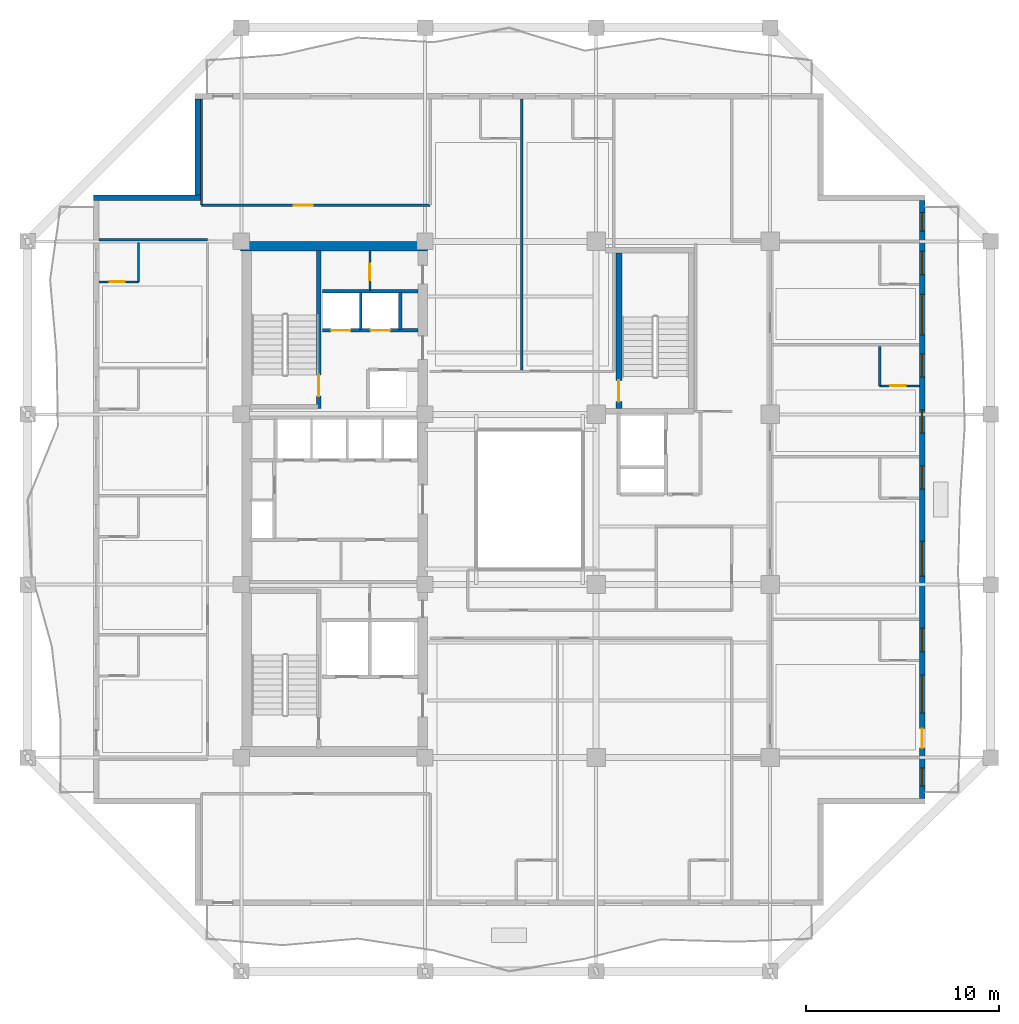
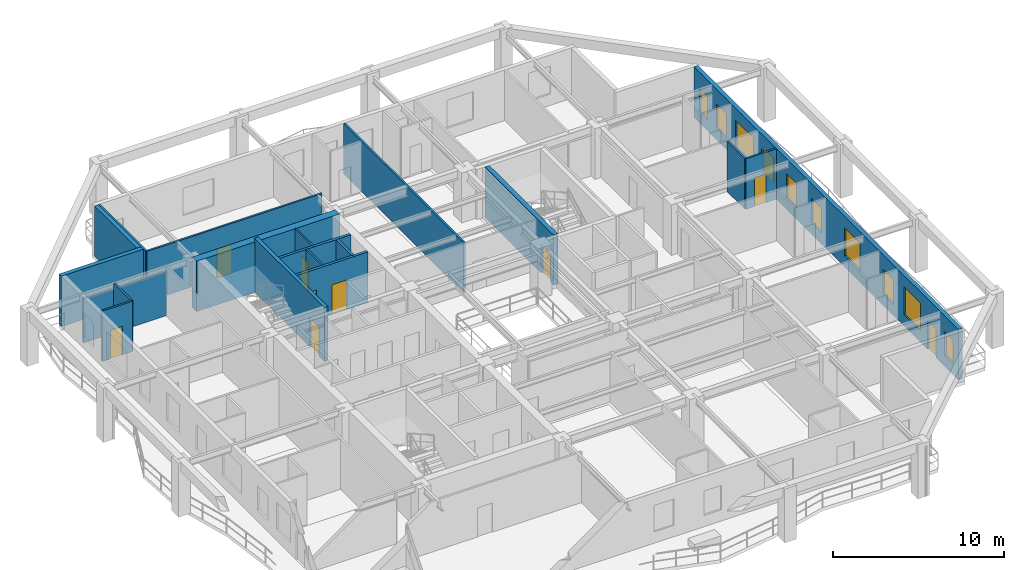
# One storey, part 6 of 13: 19 walls, 10 windows, 9 doors, 19 openings.
"""IFC4 building model written with IfcOpenShell, lengths in metres."""

from ifc_helpers import new_model, si_unit, direction, frame, frame_2d, origin, place, context, subcontext, project, spatial, rectangle, extrude, material, layer, layer_set, type_object, element, fill, save


model = new_model("IFC4")

# Units and contexts
model_context = context("Model", 3, precision=1e-05, world=origin(), true_north=direction((0.0, 1.0)))
body_context = subcontext(model_context, "Body", "Model", "MODEL_VIEW")
ifc_project = project(units=[si_unit("LENGTHUNIT", "METRE"), si_unit("AREAUNIT", "SQUARE_METRE"), si_unit("VOLUMEUNIT", "CUBIC_METRE"), si_unit("PLANEANGLEUNIT", "RADIAN"), si_unit("MASSUNIT", "GRAM", prefix="KILO")], contexts=[model_context])

# Site, building, storey
site_placement = place(None, origin())
site = spatial("IfcSite", under=ifc_project, at=site_placement, CompositionType="ELEMENT")
building_placement = place(site_placement, origin())
building = spatial("IfcBuilding", under=site, at=building_placement, Name="Kundavana Baori Tower", CompositionType="ELEMENT")
storey_placement = place(building_placement, frame((0.0, 0.0, 165.60009765625)))
storey = spatial("IfcBuildingStorey", under=building, at=storey_placement, Name="L40", CompositionType="ELEMENT", Elevation=165.60009765625)

# Wall, opening, door
ifc_material_1 = material(Name="Concrete C50/60", Category="concrete")
ifc_layer_1 = layer(ifc_material_1, 0.39990234375, Name="WL-CORE-400")
ifc_layer_set_1 = layer_set([ifc_layer_1], Name="Concrete C50/60")
wall_type_1 = type_object("IfcWallType", Name="WL-CORE-400", PredefinedType="SHEAR", material=ifc_layer_set_1)
wall_1_placement = place(storey_placement, frame((19.4599609375, 33.300048828125, 0.0), z_axis=(0.0, 0.0, 1.0), x_axis=(0.0, 1.0, 0.0)))
wall_1 = element("IfcWall", 1, at=wall_1_placement, inside=storey, type_object=wall_type_1, Name="WL-L40-ST2-E", PredefinedType="SHEAR", context=body_context, shape_type="SweptSolid", body=[
    extrude(rectangle(XDim=8.179931640625, YDim=0.239990234375, at=frame_2d((4.08984375, 0.0))), origin(), (0.0, 0.0, 1.0), 3.849853515625),
])
opening_1_placement = place(wall_1_placement, frame((0.64990234375, 0.0, 0.0)))
opening_1 = element("IfcOpeningElement", 2, at=opening_1_placement, cuts=wall_1, Name="Opening FD-110", PredefinedType="OPENING", context=body_context, shape_type="SweptSolid", body=[
    extrude(rectangle(XDim=1.10009765625, YDim=2.10009765625, at=frame_2d((0.550048828125, 1.050048828125))), frame((0.0, 0.1298828125, 0.0), z_axis=(0.0, -1.0, 0.0), x_axis=(1.0, 0.0, 0.0)), (0.0, 0.0, 1.0), 0.260009765625),
])
ifc_material_2 = material(Name="Galvanised Steel Fire-Rated Door Leaf", Category="steel")
door_type_1 = type_object("IfcDoorType", Name="DR-FD120-1100", OperationType="NOTDEFINED", PredefinedType="DOOR", material=ifc_material_2)
door_1_placement = place(opening_1_placement, origin())
door_1 = element("IfcDoor", 3, at=door_1_placement, inside=storey, type_object=door_type_1, Name="DR-L40-ST2", OperationType="SINGLE_SWING_RIGHT", OverallHeight=2.10009765625, OverallWidth=1.10009765625, PredefinedType="DOOR", context=body_context, shape_type="SweptSolid", body=[
    extrude(rectangle(XDim=1.10009765625, YDim=2.10009765625, at=frame_2d((0.550048828125, 1.050048828125))), frame((0.0, 0.02490234375, 0.0), z_axis=(0.0, -1.0, 0.0), x_axis=(1.0, 0.0, 0.0)), (0.0, 0.0, 1.0), 0.050048828125),
])
fill(opening_1, door_1)

# Wall
ifc_material_3 = material(Name="Concrete C50/60", Category="concrete")
ifc_layer_2 = layer(ifc_material_3, 0.5, Name="WL-CORE-500")
ifc_layer_set_2 = layer_set([ifc_layer_2], Name="Concrete C50/60")
wall_type_2 = type_object("IfcWallType", Name="WL-CORE-500", PredefinedType="SHEAR", material=ifc_layer_set_2)
wall_2_placement = place(storey_placement, frame((15.39990234375, 41.68994140625, 0.0), z_axis=(0.0, 0.0, 1.0), x_axis=(1.0, 0.0, 0.0)))
element("IfcWall", 4, at=wall_2_placement, inside=storey, type_object=wall_type_2, Name="L40 Offset Core North Shear Wall", PredefinedType="SHEAR", context=body_context, shape_type="SweptSolid", body=[
    extrude(rectangle(XDim=9.68017578125, YDim=0.5, at=frame_2d((4.840087890625, 0.0))), origin(), (0.0, 0.0, 1.0), 3.599853515625),
])

# Wall, openings, door, windows
ifc_material_4 = material(Name="Red-Buff Dholpur Sandstone Cladding on Concrete C40/50", Category="masonry")
ifc_layer_3 = layer(ifc_material_4, 0.280029296875, Name="WL-EXT-SAND-280")
ifc_layer_set_3 = layer_set([ifc_layer_3], Name="Red-Buff Dholpur Sandstone Cladding on Concrete C40/50")
wall_type_3 = type_object("IfcWallType", Name="WL-EXT-SAND-280", PredefinedType="STANDARD", material=ifc_layer_set_3)
wall_3_placement = place(storey_placement, frame((50.659912109375, 13.1298828125, 0.0), z_axis=(0.0, 0.0, 1.0), x_axis=(0.0, 1.0, 0.0)))
wall_3 = element("IfcWall", 5, at=wall_3_placement, inside=storey, type_object=wall_type_3, Name="L40 Exterior Insulated Facade Wall 04", PredefinedType="STANDARD", context=body_context, shape_type="SweptSolid", body=[
    extrude(rectangle(XDim=30.940185546875, YDim=0.280029296875, at=frame_2d((15.47021484375, 0.0))), origin(), (0.0, 0.0, 1.0), 3.599853515625),
])
opening_2_placement = place(wall_3_placement, frame((0.639892578125, 0.0, 0.800048828125)))
opening_2 = element("IfcOpeningElement", 6, at=opening_2_placement, cuts=wall_3, Name="Opening W-13", PredefinedType="OPENING", context=body_context, shape_type="SweptSolid", body=[
    extrude(rectangle(XDim=0.949951171875, YDim=1.64990234375, at=frame_2d((0.47509765625, 0.824951171875))), frame((0.0, 0.14990234375, 0.0), z_axis=(0.0, -1.0, 0.0), x_axis=(1.0, 0.0, 0.0)), (0.0, 0.0, 1.0), 0.300048828125),
])
opening_3_placement = place(wall_3_placement, frame((2.610107421875, 0.0, 0.0)))
opening_3 = element("IfcOpeningElement", 7, at=opening_3_placement, cuts=wall_3, Name="Opening BD-1", PredefinedType="OPENING", context=body_context, shape_type="SweptSolid", body=[
    extrude(rectangle(XDim=1.0, YDim=2.050048828125, at=frame_2d((0.5, 1.02490234375))), frame((0.0, 0.14990234375, 0.0), z_axis=(0.0, -1.0, 0.0), x_axis=(1.0, 0.0, 0.0)), (0.0, 0.0, 1.0), 0.300048828125),
])
opening_4_placement = place(wall_3_placement, frame((4.429931640625, 0.0, 0.800048828125)))
opening_4 = element("IfcOpeningElement", 8, at=opening_4_placement, cuts=wall_3, Name="Opening W-09", PredefinedType="OPENING", context=body_context, shape_type="SweptSolid", body=[
    extrude(rectangle(XDim=1.949951171875, YDim=2.0, at=frame_2d((0.97509765625, 1.0))), frame((0.0, 0.14990234375, 0.0), z_axis=(0.0, -1.0, 0.0), x_axis=(1.0, 0.0, 0.0)), (0.0, 0.0, 1.0), 0.300048828125),
])
opening_5_placement = place(wall_3_placement, frame((7.60498046875, 0.0, 0.800048828125)))
opening_5 = element("IfcOpeningElement", 9, at=opening_5_placement, cuts=wall_3, Name="Opening W-03", PredefinedType="OPENING", context=body_context, shape_type="SweptSolid", body=[
    extrude(rectangle(XDim=1.199951171875, YDim=1.75, at=frame_2d((0.60009765625, 0.875))), frame((0.0, 0.14990234375, 0.0), z_axis=(0.0, -1.0, 0.0), x_axis=(1.0, 0.0, 0.0)), (0.0, 0.0, 1.0), 0.300048828125),
])
opening_6_placement = place(wall_3_placement, frame((11.5048828125, 0.0, 0.800048828125)))
opening_6 = element("IfcOpeningElement", 10, at=opening_6_placement, cuts=wall_3, Name="Opening W-01", PredefinedType="OPENING", context=body_context, shape_type="SweptSolid", body=[
    extrude(rectangle(XDim=1.800048828125, YDim=2.0, at=frame_2d((0.89990234375, 1.0))), frame((0.0, 0.14990234375, 0.0), z_axis=(0.0, -1.0, 0.0), x_axis=(1.0, 0.0, 0.0)), (0.0, 0.0, 1.0), 0.300048828125),
])
opening_7_placement = place(wall_3_placement, frame((16.0048828125, 0.0, 0.800048828125)))
opening_7 = element("IfcOpeningElement", 11, at=opening_7_placement, cuts=wall_3, Name="Opening W-03", PredefinedType="OPENING", context=body_context, shape_type="SweptSolid", body=[
    extrude(rectangle(XDim=1.199951171875, YDim=1.75, at=frame_2d((0.60009765625, 0.875))), frame((0.0, 0.14990234375, 0.0), z_axis=(0.0, -1.0, 0.0), x_axis=(1.0, 0.0, 0.0)), (0.0, 0.0, 1.0), 0.300048828125),
])
opening_8_placement = place(wall_3_placement, frame((18.905029296875, 0.0, 0.800048828125)))
opening_8 = element("IfcOpeningElement", 12, at=opening_8_placement, cuts=wall_3, Name="Opening W-03", PredefinedType="OPENING", context=body_context, shape_type="SweptSolid", body=[
    extrude(rectangle(XDim=1.199951171875, YDim=1.75, at=frame_2d((0.60009765625, 0.875))), frame((0.0, 0.14990234375, 0.0), z_axis=(0.0, -1.0, 0.0), x_axis=(1.0, 0.0, 0.0)), (0.0, 0.0, 1.0), 0.300048828125),
])
opening_9_placement = place(wall_3_placement, frame((21.804931640625, 0.0, 0.800048828125)))
opening_9 = element("IfcOpeningElement", 13, at=opening_9_placement, cuts=wall_3, Name="Opening W-03", PredefinedType="OPENING", context=body_context, shape_type="SweptSolid", body=[
    extrude(rectangle(XDim=1.199951171875, YDim=1.75, at=frame_2d((0.60009765625, 0.875))), frame((0.0, 0.14990234375, 0.0), z_axis=(0.0, -1.0, 0.0), x_axis=(1.0, 0.0, 0.0)), (0.0, 0.0, 1.0), 0.300048828125),
])
opening_10_placement = place(wall_3_placement, frame((23.97998046875, 0.0, 0.800048828125)))
opening_10 = element("IfcOpeningElement", 14, at=opening_10_placement, cuts=wall_3, Name="Opening W-05", PredefinedType="OPENING", context=body_context, shape_type="SweptSolid", body=[
    extrude(rectangle(XDim=2.10009765625, YDim=1.949951171875, at=frame_2d((1.050048828125, 0.97509765625))), frame((0.0, 0.14990234375, 0.0), z_axis=(0.0, -1.0, 0.0), x_axis=(1.0, 0.0, 0.0)), (0.0, 0.0, 1.0), 0.300048828125),
])
opening_11_placement = place(wall_3_placement, frame((27.10498046875, 0.0, 0.800048828125)))
opening_11 = element("IfcOpeningElement", 15, at=opening_11_placement, cuts=wall_3, Name="Opening W-03", PredefinedType="OPENING", context=body_context, shape_type="SweptSolid", body=[
    extrude(rectangle(XDim=1.199951171875, YDim=1.75, at=frame_2d((0.60009765625, 0.875))), frame((0.0, 0.14990234375, 0.0), z_axis=(0.0, -1.0, 0.0), x_axis=(1.0, 0.0, 0.0)), (0.0, 0.0, 1.0), 0.300048828125),
])
opening_12_placement = place(wall_3_placement, frame((29.35009765625, 0.0, 0.800048828125)))
opening_12 = element("IfcOpeningElement", 16, at=opening_12_placement, cuts=wall_3, Name="Opening W-13", PredefinedType="OPENING", context=body_context, shape_type="SweptSolid", body=[
    extrude(rectangle(XDim=0.949951171875, YDim=1.64990234375, at=frame_2d((0.47509765625, 0.824951171875))), frame((0.0, 0.14990234375, 0.0), z_axis=(0.0, -1.0, 0.0), x_axis=(1.0, 0.0, 0.0)), (0.0, 0.0, 1.0), 0.300048828125),
])
ifc_material_5 = material(Name="Architectural Patinated Bronze Metalwork")
door_type_2 = type_object("IfcDoorType", Name="DR-EXT-LOG-1000", OperationType="NOTDEFINED", PredefinedType="DOOR", material=ifc_material_5)
door_2_placement = place(opening_3_placement, frame((1.0, 0.0, 0.0), z_axis=(0.0, 0.0, 1.0), x_axis=(-1.0, 0.0, 0.0)))
door_2 = element("IfcDoor", 17, at=door_2_placement, inside=storey, type_object=door_type_2, Name="L40 Loggia Balcony Access Door E", OperationType="SINGLE_SWING_LEFT", OverallHeight=2.050048828125, OverallWidth=1.0, PredefinedType="DOOR", context=body_context, shape_type="SweptSolid", body=[
    extrude(rectangle(XDim=1.0, YDim=2.050048828125, at=frame_2d((0.5, 1.02490234375))), frame((0.0, 0.02490234375, 0.0), z_axis=(0.0, -1.0, 0.0), x_axis=(1.0, 0.0, 0.0)), (0.0, 0.0, 1.0), 0.050048828125),
])
fill(opening_3, door_2)
ifc_material_6 = material(Name="Double-Glazed Solar-Control Low-E Insulated Glass", Category="glass")
window_type_1 = type_object("IfcWindowType", Name="WIN-LOG-1200x1750", PartitioningType="SINGLE_PANEL", PredefinedType="WINDOW", material=ifc_material_6)
window_1_placement = place(opening_5_placement, origin())
window_1 = element("IfcWindow", 18, at=window_1_placement, inside=storey, type_object=window_type_1, Name="L40 Recessed Loggia Window E-3", OverallHeight=1.75, OverallWidth=1.199951171875, PartitioningType="SINGLE_PANEL", PredefinedType="WINDOW", context=body_context, shape_type="SweptSolid", body=[
    extrude(rectangle(XDim=1.199951171875, YDim=1.75, at=frame_2d((0.60009765625, 0.875))), frame((0.0, 0.030029296875, 0.0), z_axis=(0.0, -1.0, 0.0), x_axis=(1.0, 0.0, 0.0)), (0.0, 0.0, 1.0), 0.06005859375),
])
fill(opening_5, window_1)
window_2_placement = place(opening_7_placement, origin())
window_2 = element("IfcWindow", 19, at=window_2_placement, inside=storey, type_object=window_type_1, Name="L40 Recessed Loggia Window E-5", OverallHeight=1.75, OverallWidth=1.199951171875, PartitioningType="SINGLE_PANEL", PredefinedType="WINDOW", context=body_context, shape_type="SweptSolid", body=[
    extrude(rectangle(XDim=1.199951171875, YDim=1.75, at=frame_2d((0.60009765625, 0.875))), frame((0.0, 0.030029296875, 0.0), z_axis=(0.0, -1.0, 0.0), x_axis=(1.0, 0.0, 0.0)), (0.0, 0.0, 1.0), 0.06005859375),
])
fill(opening_7, window_2)
window_3_placement = place(opening_8_placement, origin())
window_3 = element("IfcWindow", 20, at=window_3_placement, inside=storey, type_object=window_type_1, Name="L40 Recessed Loggia Window E-6", OverallHeight=1.75, OverallWidth=1.199951171875, PartitioningType="SINGLE_PANEL", PredefinedType="WINDOW", context=body_context, shape_type="SweptSolid", body=[
    extrude(rectangle(XDim=1.199951171875, YDim=1.75, at=frame_2d((0.60009765625, 0.875))), frame((0.0, 0.030029296875, 0.0), z_axis=(0.0, -1.0, 0.0), x_axis=(1.0, 0.0, 0.0)), (0.0, 0.0, 1.0), 0.06005859375),
])
fill(opening_8, window_3)
window_4_placement = place(opening_9_placement, origin())
window_4 = element("IfcWindow", 21, at=window_4_placement, inside=storey, type_object=window_type_1, Name="L40 Recessed Loggia Window E-7", OverallHeight=1.75, OverallWidth=1.199951171875, PartitioningType="SINGLE_PANEL", PredefinedType="WINDOW", context=body_context, shape_type="SweptSolid", body=[
    extrude(rectangle(XDim=1.199951171875, YDim=1.75, at=frame_2d((0.60009765625, 0.875))), frame((0.0, 0.030029296875, 0.0), z_axis=(0.0, -1.0, 0.0), x_axis=(1.0, 0.0, 0.0)), (0.0, 0.0, 1.0), 0.06005859375),
])
fill(opening_9, window_4)
window_5_placement = place(opening_11_placement, origin())
window_5 = element("IfcWindow", 22, at=window_5_placement, inside=storey, type_object=window_type_1, Name="L40 Recessed Loggia Window E-9", OverallHeight=1.75, OverallWidth=1.199951171875, PartitioningType="SINGLE_PANEL", PredefinedType="WINDOW", context=body_context, shape_type="SweptSolid", body=[
    extrude(rectangle(XDim=1.199951171875, YDim=1.75, at=frame_2d((0.60009765625, 0.875))), frame((0.0, 0.030029296875, 0.0), z_axis=(0.0, -1.0, 0.0), x_axis=(1.0, 0.0, 0.0)), (0.0, 0.0, 1.0), 0.06005859375),
])
fill(opening_11, window_5)
ifc_material_7 = material(Name="Double-Glazed Solar-Control Low-E Insulated Glass", Category="glass")
window_type_2 = type_object("IfcWindowType", Name="WIN-LOG-1800x2000", PartitioningType="SINGLE_PANEL", PredefinedType="WINDOW", material=ifc_material_7)
window_6_placement = place(opening_6_placement, origin())
window_6 = element("IfcWindow", 23, at=window_6_placement, inside=storey, type_object=window_type_2, Name="L40 Recessed Loggia Window E-4", OverallHeight=2.0, OverallWidth=1.800048828125, PartitioningType="SINGLE_PANEL", PredefinedType="WINDOW", context=body_context, shape_type="SweptSolid", body=[
    extrude(rectangle(XDim=1.800048828125, YDim=2.0, at=frame_2d((0.89990234375, 1.0))), frame((0.0, 0.030029296875, 0.0), z_axis=(0.0, -1.0, 0.0), x_axis=(1.0, 0.0, 0.0)), (0.0, 0.0, 1.0), 0.06005859375),
])
fill(opening_6, window_6)
ifc_material_8 = material(Name="Double-Glazed Solar-Control Low-E Insulated Glass", Category="glass")
window_type_3 = type_object("IfcWindowType", Name="WIN-LOG-1950x2000", PartitioningType="SINGLE_PANEL", PredefinedType="WINDOW", material=ifc_material_8)
window_7_placement = place(opening_4_placement, origin())
window_7 = element("IfcWindow", 24, at=window_7_placement, inside=storey, type_object=window_type_3, Name="L40 Recessed Loggia Window E-2", OverallHeight=2.0, OverallWidth=1.949951171875, PartitioningType="SINGLE_PANEL", PredefinedType="WINDOW", context=body_context, shape_type="SweptSolid", body=[
    extrude(rectangle(XDim=1.949951171875, YDim=2.0, at=frame_2d((0.97509765625, 1.0))), frame((0.0, 0.030029296875, 0.0), z_axis=(0.0, -1.0, 0.0), x_axis=(1.0, 0.0, 0.0)), (0.0, 0.0, 1.0), 0.06005859375),
])
fill(opening_4, window_7)
ifc_material_9 = material(Name="Double-Glazed Solar-Control Low-E Insulated Glass", Category="glass")
window_type_4 = type_object("IfcWindowType", Name="WIN-LOG-2100x1950", PartitioningType="SINGLE_PANEL", PredefinedType="WINDOW", material=ifc_material_9)
window_8_placement = place(opening_10_placement, origin())
window_8 = element("IfcWindow", 25, at=window_8_placement, inside=storey, type_object=window_type_4, Name="L40 Recessed Loggia Window E-8", OverallHeight=1.949951171875, OverallWidth=2.10009765625, PartitioningType="SINGLE_PANEL", PredefinedType="WINDOW", context=body_context, shape_type="SweptSolid", body=[
    extrude(rectangle(XDim=2.10009765625, YDim=1.949951171875, at=frame_2d((1.050048828125, 0.97509765625))), frame((0.0, 0.030029296875, 0.0), z_axis=(0.0, -1.0, 0.0), x_axis=(1.0, 0.0, 0.0)), (0.0, 0.0, 1.0), 0.06005859375),
])
fill(opening_10, window_8)
ifc_material_10 = material(Name="Double-Glazed Solar-Control Low-E Insulated Glass", Category="glass")
window_type_5 = type_object("IfcWindowType", Name="WIN-LOG-950x1650", PartitioningType="SINGLE_PANEL", PredefinedType="WINDOW", material=ifc_material_10)
window_9_placement = place(opening_2_placement, origin())
window_9 = element("IfcWindow", 26, at=window_9_placement, inside=storey, type_object=window_type_5, Name="L40 Recessed Loggia Window E-1", OverallHeight=1.64990234375, OverallWidth=0.949951171875, PartitioningType="SINGLE_PANEL", PredefinedType="WINDOW", context=body_context, shape_type="SweptSolid", body=[
    extrude(rectangle(XDim=0.949951171875, YDim=1.64990234375, at=frame_2d((0.47509765625, 0.824951171875))), frame((0.0, 0.030029296875, 0.0), z_axis=(0.0, -1.0, 0.0), x_axis=(1.0, 0.0, 0.0)), (0.0, 0.0, 1.0), 0.06005859375),
])
fill(opening_2, window_9)
window_10_placement = place(opening_12_placement, origin())
window_10 = element("IfcWindow", 27, at=window_10_placement, inside=storey, type_object=window_type_5, Name="L40 Recessed Loggia Window E-10", OverallHeight=1.64990234375, OverallWidth=0.949951171875, PartitioningType="SINGLE_PANEL", PredefinedType="WINDOW", context=body_context, shape_type="SweptSolid", body=[
    extrude(rectangle(XDim=0.949951171875, YDim=1.64990234375, at=frame_2d((0.47509765625, 0.824951171875))), frame((0.0, 0.030029296875, 0.0), z_axis=(0.0, -1.0, 0.0), x_axis=(1.0, 0.0, 0.0)), (0.0, 0.0, 1.0), 0.06005859375),
])
fill(opening_12, window_10)

# Walls
wall_4_placement = place(storey_placement, frame((13.18994140625, 49.320068359375, 0.0), z_axis=(0.0, 0.0, 1.0), x_axis=(0.0, -1.0, 0.0)))
element("IfcWall", 28, at=wall_4_placement, inside=storey, type_object=wall_type_3, Name="L40 Exterior Insulated Facade Wall 08", PredefinedType="STANDARD", context=body_context, shape_type="SweptSolid", body=[
    extrude(rectangle(XDim=4.969970703125, YDim=0.280029296875, at=frame_2d((2.48486328125, 0.0))), origin(), (0.0, 0.0, 1.0), 3.599853515625),
])
wall_5_placement = place(storey_placement, frame((13.330078125, 44.2099609375, 0.0), z_axis=(0.0, 0.0, 1.0), x_axis=(-1.0, 0.0, 0.0)))
element("IfcWall", 29, at=wall_5_placement, inside=storey, type_object=wall_type_3, Name="L40 Exterior Insulated Facade Wall 09", PredefinedType="STANDARD", context=body_context, shape_type="SweptSolid", body=[
    extrude(rectangle(XDim=5.530029296875, YDim=0.280029296875, at=frame_2d((2.76513671875, 0.0))), origin(), (0.0, 0.0, 1.0), 3.599853515625),
])
ifc_material_11 = material(Name="Acoustic Gypsum Plasterboard on Galvanised Steel Studs", Category="steel")
ifc_layer_4 = layer(ifc_material_11, 0.1201171875, Name="WL-PART-120")
ifc_layer_set_4 = layer_set([ifc_layer_4], Name="Acoustic Gypsum Plasterboard on Galvanised Steel Studs")
wall_type_4 = type_object("IfcWallType", Name="WL-PART-120", PredefinedType="PARTITIONING", material=ifc_layer_set_4)
wall_6_placement = place(storey_placement, frame((21.6201171875, 37.39990234375, 0.0), z_axis=(0.0, 0.0, 1.0), x_axis=(0.0, 1.0, 0.0)))
element("IfcWall", 30, at=wall_6_placement, inside=storey, type_object=wall_type_4, Name="WL-L40-HR-DIV1", PredefinedType="PARTITIONING", context=body_context, shape_type="SweptSolid", body=[
    extrude(rectangle(XDim=1.900146484375, YDim=0.1201171875, at=frame_2d((0.9501953125, 0.0))), origin(), (0.0, 0.0, 1.0), 3.599853515625),
])

# Wall, opening, door
wall_7_placement = place(storey_placement, frame((22.10009765625, 39.39990234375, 0.0), z_axis=(0.0, 0.0, 1.0), x_axis=(0.0, 1.0, 0.0)))
wall_7 = element("IfcWall", 31, at=wall_7_placement, inside=storey, type_object=wall_type_4, Name="WL-L40-CSRV-D1", PredefinedType="PARTITIONING", context=body_context, shape_type="SweptSolid", body=[
    extrude(rectangle(XDim=2.080078125, YDim=0.1201171875, at=frame_2d((1.0400390625, 0.0))), origin(), (0.0, 0.0, 1.0), 3.599853515625),
])
opening_13_placement = place(wall_7_placement, frame((0.550048828125, 0.0, 0.0)))
opening_13 = element("IfcOpeningElement", 32, at=opening_13_placement, cuts=wall_7, Name="Opening FD-085", PredefinedType="OPENING", context=body_context, shape_type="SweptSolid", body=[
    extrude(rectangle(XDim=0.85009765625, YDim=2.06005859375, at=frame_2d((0.425048828125, 1.030029296875))), frame((0.0, 0.070068359375, 0.0), z_axis=(0.0, -1.0, 0.0), x_axis=(1.0, 0.0, 0.0)), (0.0, 0.0, 1.0), 0.14013671875),
])
ifc_material_12 = material(Name="Galvanised Steel Fire-Rated Door Leaf", Category="steel")
door_type_3 = type_object("IfcDoorType", Name="DR-FD60-850", OperationType="NOTDEFINED", PredefinedType="DOOR", material=ifc_material_12)
door_3_placement = place(opening_13_placement, origin())
door_3 = element("IfcDoor", 33, at=door_3_placement, inside=storey, type_object=door_type_3, Name="DR-L40-CSRV1", OperationType="SINGLE_SWING_LEFT", OverallHeight=2.06005859375, OverallWidth=0.85009765625, PredefinedType="DOOR", context=body_context, shape_type="SweptSolid", body=[
    extrude(rectangle(XDim=0.85009765625, YDim=2.06005859375, at=frame_2d((0.425048828125, 1.030029296875))), frame((0.0, 0.02490234375, 0.0), z_axis=(0.0, -1.0, 0.0), x_axis=(1.0, 0.0, 0.0)), (0.0, 0.0, 1.0), 0.050048828125),
])
fill(opening_13, door_3)

# Wall, openings, doors
ifc_material_13 = material(Name="Autoclaved Aerated Concrete Blockwork Masonry", Category="masonry")
ifc_layer_5 = layer(ifc_material_13, 0.179931640625, Name="WL-SHAFT-180")
ifc_layer_set_5 = layer_set([ifc_layer_5], Name="Autoclaved Aerated Concrete Blockwork Masonry")
wall_type_5 = type_object("IfcWallType", Name="WL-SHAFT-180", PredefinedType="SOLIDWALL", material=ifc_layer_set_5)
wall_8_placement = place(storey_placement, frame((19.639892578125, 37.340087890625, 0.0), z_axis=(0.0, 0.0, 1.0), x_axis=(1.0, 0.0, 0.0)))
wall_8 = element("IfcWall", 34, at=wall_8_placement, inside=storey, type_object=wall_type_5, Name="WL-L40-HRLOB-N", PredefinedType="SOLIDWALL", context=body_context, shape_type="SweptSolid", body=[
    extrude(rectangle(XDim=4.940185546875, YDim=0.179931640625, at=frame_2d((2.47021484375, 0.0))), origin(), (0.0, 0.0, 1.0), 3.599853515625),
])
opening_14_placement = place(wall_8_placement, frame((0.449951171875, 0.0, 0.0)))
opening_14 = element("IfcOpeningElement", 35, at=opening_14_placement, cuts=wall_8, Name="Opening LD-100", PredefinedType="OPENING", context=body_context, shape_type="SweptSolid", body=[
    extrude(rectangle(XDim=1.0, YDim=2.10009765625, at=frame_2d((0.5, 1.050048828125))), frame((0.0, 0.10009765625, 0.0), z_axis=(0.0, -1.0, 0.0), x_axis=(1.0, 0.0, 0.0)), (0.0, 0.0, 1.0), 0.199951171875),
])
opening_15_placement = place(wall_8_placement, frame((2.5, 0.0, 0.0)))
opening_15 = element("IfcOpeningElement", 36, at=opening_15_placement, cuts=wall_8, Name="Opening LD-100", PredefinedType="OPENING", context=body_context, shape_type="SweptSolid", body=[
    extrude(rectangle(XDim=1.0, YDim=2.10009765625, at=frame_2d((0.5, 1.050048828125))), frame((0.0, 0.10009765625, 0.0), z_axis=(0.0, -1.0, 0.0), x_axis=(1.0, 0.0, 0.0)), (0.0, 0.0, 1.0), 0.199951171875),
])
ifc_material_14 = material(Name="Galvanised Steel Fire-Rated Door Leaf", Category="steel")
door_type_4 = type_object("IfcDoorType", Name="DR-SLIDE-LD1000", OperationType="NOTDEFINED", PredefinedType="DOOR", material=ifc_material_14)
door_4_placement = place(opening_14_placement, frame((1.0, 0.0, 0.0), z_axis=(0.0, 0.0, 1.0), x_axis=(-1.0, 0.0, 0.0)))
door_4 = element("IfcDoor", 37, at=door_4_placement, inside=storey, type_object=door_type_4, Name="DR-L40-LD-LP09", OperationType="DOUBLE_DOOR_SLIDING", OverallHeight=2.10009765625, OverallWidth=1.0, PredefinedType="DOOR", context=body_context, shape_type="SweptSolid", body=[
    extrude(rectangle(XDim=1.0, YDim=2.10009765625, at=frame_2d((0.5, 1.050048828125))), frame((0.0, 0.02490234375, 0.0), z_axis=(0.0, -1.0, 0.0), x_axis=(1.0, 0.0, 0.0)), (0.0, 0.0, 1.0), 0.050048828125),
])
fill(opening_14, door_4)
door_5_placement = place(opening_15_placement, frame((1.0, 0.0, 0.0), z_axis=(0.0, 0.0, 1.0), x_axis=(-1.0, 0.0, 0.0)))
door_5 = element("IfcDoor", 38, at=door_5_placement, inside=storey, type_object=door_type_4, Name="DR-L40-LD-LP10", OperationType="DOUBLE_DOOR_SLIDING", OverallHeight=2.10009765625, OverallWidth=1.0, PredefinedType="DOOR", context=body_context, shape_type="SweptSolid", body=[
    extrude(rectangle(XDim=1.0, YDim=2.10009765625, at=frame_2d((0.5, 1.050048828125))), frame((0.0, 0.02490234375, 0.0), z_axis=(0.0, -1.0, 0.0), x_axis=(1.0, 0.0, 0.0)), (0.0, 0.0, 1.0), 0.050048828125),
])
fill(opening_15, door_5)

# Walls
wall_9_placement = place(storey_placement, frame((19.639892578125, 39.360107421875, 0.0), z_axis=(0.0, 0.0, 1.0), x_axis=(1.0, 0.0, 0.0)))
element("IfcWall", 39, at=wall_9_placement, inside=storey, type_object=wall_type_5, Name="WL-L40-HRLOB-TOP", PredefinedType="SOLIDWALL", context=body_context, shape_type="SweptSolid", body=[
    extrude(rectangle(XDim=4.940185546875, YDim=0.179931640625, at=frame_2d((2.47021484375, 0.0))), origin(), (0.0, 0.0, 1.0), 3.599853515625),
])
wall_10_placement = place(storey_placement, frame((23.659912109375, 37.39990234375, 0.0), z_axis=(0.0, 0.0, 1.0), x_axis=(0.0, 1.0, 0.0)))
element("IfcWall", 40, at=wall_10_placement, inside=storey, type_object=wall_type_5, Name="WL-L40-HR-DIV2", PredefinedType="SOLIDWALL", context=body_context, shape_type="SweptSolid", body=[
    extrude(rectangle(XDim=1.900146484375, YDim=0.179931640625, at=frame_2d((0.9501953125, 0.0))), origin(), (0.0, 0.0, 1.0), 3.599853515625),
])

# Wall, opening, door
ifc_material_15 = material(Name="Concrete C50/60", Category="concrete")
ifc_layer_6 = layer(ifc_material_15, 0.300048828125, Name="WL-ST3-300")
ifc_layer_set_6 = layer_set([ifc_layer_6], Name="Concrete C50/60")
wall_type_6 = type_object("IfcWallType", Name="WL-ST3-300", PredefinedType="SHEAR", material=ifc_layer_set_6)
wall_11_placement = place(storey_placement, frame((34.97998046875, 33.31005859375, 0.0), z_axis=(0.0, 0.0, 1.0), x_axis=(0.0, 1.0, 0.0)))
wall_11 = element("IfcWall", 41, at=wall_11_placement, inside=storey, type_object=wall_type_6, Name="L40 Stair ST3 West Shear Wall", PredefinedType="SHEAR", context=body_context, shape_type="SweptSolid", body=[
    extrude(rectangle(XDim=8.030029296875, YDim=0.300048828125, at=frame_2d((4.01513671875, 0.0))), origin(), (0.0, 0.0, 1.0), 3.599853515625),
])
opening_16_placement = place(wall_11_placement, frame((0.35009765625, 0.0, 0.0)))
opening_16 = element("IfcOpeningElement", 42, at=opening_16_placement, cuts=wall_11, Name="Opening FD-110", PredefinedType="OPENING", context=body_context, shape_type="SweptSolid", body=[
    extrude(rectangle(XDim=1.10009765625, YDim=2.10009765625, at=frame_2d((0.550048828125, 1.050048828125))), frame((0.0, 0.16015625, 0.0), z_axis=(0.0, -1.0, 0.0), x_axis=(1.0, 0.0, 0.0)), (0.0, 0.0, 1.0), 0.320068359375),
])
door_6_placement = place(opening_16_placement, origin())
door_6 = element("IfcDoor", 43, at=door_6_placement, inside=storey, type_object=door_type_1, Name="DR-L40-ST3-W", OperationType="SINGLE_SWING_LEFT", OverallHeight=2.10009765625, OverallWidth=1.10009765625, PredefinedType="DOOR", context=body_context, shape_type="SweptSolid", body=[
    extrude(rectangle(XDim=1.10009765625, YDim=2.10009765625, at=frame_2d((0.550048828125, 1.050048828125))), frame((0.0, 0.02490234375, 0.0), z_axis=(0.0, -1.0, 0.0), x_axis=(1.0, 0.0, 0.0)), (0.0, 0.0, 1.0), 0.050048828125),
])
fill(opening_16, door_6)

# Wall
ifc_material_16 = material(Name="Autoclaved Aerated Concrete Blockwork Masonry", Category="masonry")
ifc_layer_7 = layer(ifc_material_16, 0.125, Name="WL-WET-120")
ifc_layer_set_7 = layer_set([ifc_layer_7], Name="Autoclaved Aerated Concrete Blockwork Masonry")
wall_type_7 = type_object("IfcWallType", Name="WL-WET-120", PredefinedType="PLUMBINGWALL", material=ifc_layer_set_7)
wall_12_placement = place(storey_placement, frame((8.080078125, 42.0400390625, 0.0), z_axis=(0.0, 0.0, 1.0), x_axis=(1.0, 0.0, 0.0)))
element("IfcWall", 44, at=wall_12_placement, inside=storey, type_object=wall_type_7, Name="WL-L40-HWN", PredefinedType="PLUMBINGWALL", context=body_context, shape_type="SweptSolid", body=[
    extrude(rectangle(XDim=5.619873046875, YDim=0.125, at=frame_2d((2.81005859375, 0.0))), origin(), (0.0, 0.0, 1.0), 3.14990234375),
])

# Wall, opening, door
wall_13_placement = place(storey_placement, frame((13.389892578125, 43.820068359375, 0.0), z_axis=(0.0, 0.0, 1.0), x_axis=(1.0, 0.0, 0.0)))
wall_13 = element("IfcWall", 45, at=wall_13_placement, inside=storey, type_object=wall_type_7, Name="WL-L40-HNC", PredefinedType="PLUMBINGWALL", context=body_context, shape_type="SweptSolid", body=[
    extrude(rectangle(XDim=11.830078125, YDim=0.125, at=frame_2d((5.9150390625, 0.0))), origin(), (0.0, 0.0, 1.0), 3.599853515625),
])
opening_17_placement = place(wall_13_placement, frame((4.760009765625, 0.0, 0.0)))
opening_17 = element("IfcOpeningElement", 46, at=opening_17_placement, cuts=wall_13, Name="Opening ID-100", PredefinedType="OPENING", context=body_context, shape_type="SweptSolid", body=[
    extrude(rectangle(XDim=1.0, YDim=2.080078125, at=frame_2d((0.5, 1.0400390625))), frame((0.0, 0.072509765625, 0.0), z_axis=(0.0, -1.0, 0.0), x_axis=(1.0, 0.0, 0.0)), (0.0, 0.0, 1.0), 0.14501953125),
])
ifc_material_17 = material(Name="Engineered Teak Solid-Core Timber Veneer", Category="wood")
door_type_5 = type_object("IfcDoorType", Name="DR-INT-1000", OperationType="NOTDEFINED", PredefinedType="DOOR", material=ifc_material_17)
door_7_placement = place(opening_17_placement, origin())
door_7 = element("IfcDoor", 47, at=door_7_placement, inside=storey, type_object=door_type_5, Name="DR-L40-HMNW", OperationType="SINGLE_SWING_RIGHT", OverallHeight=2.080078125, OverallWidth=1.0, PredefinedType="DOOR", context=body_context, shape_type="SweptSolid", body=[
    extrude(rectangle(XDim=1.0, YDim=2.080078125, at=frame_2d((0.5, 1.0400390625))), frame((0.0, 0.02490234375, 0.0), z_axis=(0.0, -1.0, 0.0), x_axis=(1.0, 0.0, 0.0)), (0.0, 0.0, 1.0), 0.050048828125),
])
fill(opening_17, door_7)

# Walls
wall_14_placement = place(storey_placement, frame((13.389892578125, 43.820068359375, 0.0), z_axis=(0.0, 0.0, 1.0), x_axis=(0.0, 1.0, 0.0)))
element("IfcWall", 48, at=wall_14_placement, inside=storey, type_object=wall_type_7, Name="WL-L40-HNCW", PredefinedType="PLUMBINGWALL", context=body_context, shape_type="SweptSolid", body=[
    extrude(rectangle(XDim=5.5, YDim=0.125, at=frame_2d((2.75, 0.0))), origin(), (0.0, 0.0, 1.0), 3.599853515625),
])
wall_15_placement = place(storey_placement, frame((10.1298828125, 39.85009765625, 0.0), z_axis=(0.0, 0.0, 1.0), x_axis=(0.0, 1.0, 0.0)))
element("IfcWall", 49, at=wall_15_placement, inside=storey, type_object=wall_type_7, Name="WL-L40-HK-W4-BE", PredefinedType="PLUMBINGWALL", context=body_context, shape_type="SweptSolid", body=[
    extrude(rectangle(XDim=2.0498046875, YDim=0.125, at=frame_2d((1.02490234375, 0.0))), origin(), (0.0, 0.0, 1.0), 3.599853515625),
])

# Wall, opening, door
wall_16_placement = place(storey_placement, frame((8.080078125, 39.85009765625, 0.0), z_axis=(0.0, 0.0, 1.0), x_axis=(1.0, 0.0, 0.0)))
wall_16 = element("IfcWall", 50, at=wall_16_placement, inside=storey, type_object=wall_type_7, Name="WL-L40-HK-W4-BS", PredefinedType="PLUMBINGWALL", context=body_context, shape_type="SweptSolid", body=[
    extrude(rectangle(XDim=2.0498046875, YDim=0.125, at=frame_2d((1.02490234375, 0.0))), origin(), (0.0, 0.0, 1.0), 3.599853515625),
])
opening_18_placement = place(wall_16_placement, frame((0.550048828125, 0.0, 0.0)))
opening_18 = element("IfcOpeningElement", 51, at=opening_18_placement, cuts=wall_16, Name="Opening WD-080", PredefinedType="OPENING", context=body_context, shape_type="SweptSolid", body=[
    extrude(rectangle(XDim=0.800048828125, YDim=2.050048828125, at=frame_2d((0.39990234375, 1.02490234375))), frame((0.0, 0.072509765625, 0.0), z_axis=(0.0, -1.0, 0.0), x_axis=(1.0, 0.0, 0.0)), (0.0, 0.0, 1.0), 0.14501953125),
])
ifc_material_18 = material(Name="Engineered Teak Solid-Core Timber Veneer", Category="wood")
door_type_6 = type_object("IfcDoorType", Name="DR-WET-800", OperationType="NOTDEFINED", PredefinedType="DOOR", material=ifc_material_18)
door_8_placement = place(opening_18_placement, frame((0.800048828125, 0.0, 0.0), z_axis=(0.0, 0.0, 1.0), x_axis=(-1.0, 0.0, 0.0)))
door_8 = element("IfcDoor", 52, at=door_8_placement, inside=storey, type_object=door_type_6, Name="DR-L40-HK-W4-ENS", OperationType="SINGLE_SWING_LEFT", OverallHeight=2.050048828125, OverallWidth=0.800048828125, PredefinedType="DOOR", context=body_context, shape_type="SweptSolid", body=[
    extrude(rectangle(XDim=0.800048828125, YDim=2.050048828125, at=frame_2d((0.39990234375, 1.02490234375))), frame((0.0, 0.02490234375, 0.0), z_axis=(0.0, -1.0, 0.0), x_axis=(1.0, 0.0, 0.0)), (0.0, 0.0, 1.0), 0.050048828125),
])
fill(opening_18, door_8)

# Wall
wall_17_placement = place(storey_placement, frame((48.469970703125, 34.469970703125, 0.0), z_axis=(0.0, 0.0, 1.0), x_axis=(0.0, 1.0, 0.0)))
element("IfcWall", 53, at=wall_17_placement, inside=storey, type_object=wall_type_7, Name="WL-L40-HK-E3-BW", PredefinedType="PLUMBINGWALL", context=body_context, shape_type="SweptSolid", body=[
    extrude(rectangle(XDim=2.050048828125, YDim=0.125, at=frame_2d((1.02490234375, 0.0))), origin(), (0.0, 0.0, 1.0), 3.599853515625),
])

# Wall, opening, door
wall_18_placement = place(storey_placement, frame((48.469970703125, 34.469970703125, 0.0), z_axis=(0.0, 0.0, 1.0), x_axis=(1.0, 0.0, 0.0)))
wall_18 = element("IfcWall", 54, at=wall_18_placement, inside=storey, type_object=wall_type_7, Name="WL-L40-HK-E3-BS", PredefinedType="PLUMBINGWALL", context=body_context, shape_type="SweptSolid", body=[
    extrude(rectangle(XDim=2.050048828125, YDim=0.125, at=frame_2d((1.02490234375, 0.0))), origin(), (0.0, 0.0, 1.0), 3.599853515625),
])
opening_19_placement = place(wall_18_placement, frame((0.550048828125, 0.0, 0.0)))
opening_19 = element("IfcOpeningElement", 55, at=opening_19_placement, cuts=wall_18, Name="Opening WD-080", PredefinedType="OPENING", context=body_context, shape_type="SweptSolid", body=[
    extrude(rectangle(XDim=0.800048828125, YDim=2.050048828125, at=frame_2d((0.39990234375, 1.02490234375))), frame((0.0, 0.072509765625, 0.0), z_axis=(0.0, -1.0, 0.0), x_axis=(1.0, 0.0, 0.0)), (0.0, 0.0, 1.0), 0.14501953125),
])
door_9_placement = place(opening_19_placement, frame((0.800048828125, 0.0, 0.0), z_axis=(0.0, 0.0, 1.0), x_axis=(-1.0, 0.0, 0.0)))
door_9 = element("IfcDoor", 56, at=door_9_placement, inside=storey, type_object=door_type_6, Name="DR-L40-HK-E3-ENS", OperationType="SINGLE_SWING_LEFT", OverallHeight=2.050048828125, OverallWidth=0.800048828125, PredefinedType="DOOR", context=body_context, shape_type="SweptSolid", body=[
    extrude(rectangle(XDim=0.800048828125, YDim=2.050048828125, at=frame_2d((0.39990234375, 1.02490234375))), frame((0.0, 0.02490234375, 0.0), z_axis=(0.0, -1.0, 0.0), x_axis=(1.0, 0.0, 0.0)), (0.0, 0.0, 1.0), 0.050048828125),
])
fill(opening_19, door_9)

# Wall
wall_19_placement = place(storey_placement, frame((29.949951171875, 35.300048828125, 0.0), z_axis=(0.0, 0.0, 1.0), x_axis=(0.0, 1.0, 0.0)))
element("IfcWall", 57, at=wall_19_placement, inside=storey, type_object=wall_type_7, Name="WL-L40-HND1", PredefinedType="PLUMBINGWALL", context=body_context, shape_type="SweptSolid", body=[
    extrude(rectangle(XDim=14.02001953125, YDim=0.125, at=frame_2d((7.010009765625, 0.0))), origin(), (0.0, 0.0, 1.0), 3.599853515625),
])

save(model, "model.ifc")
